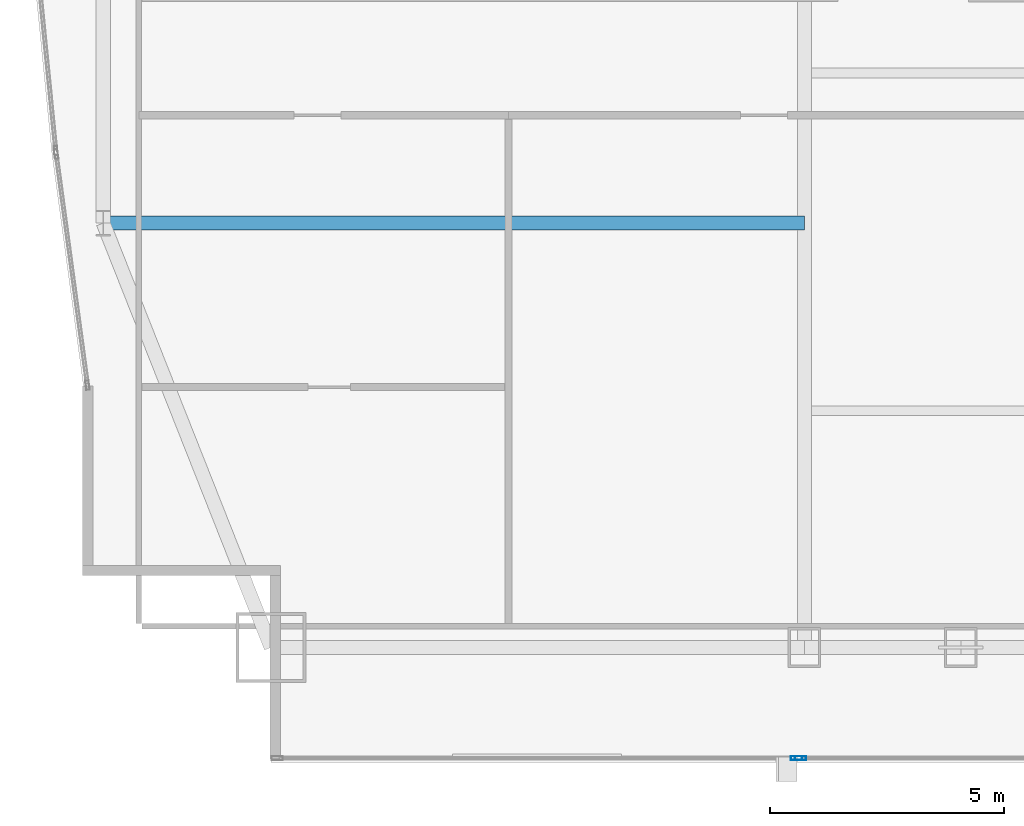
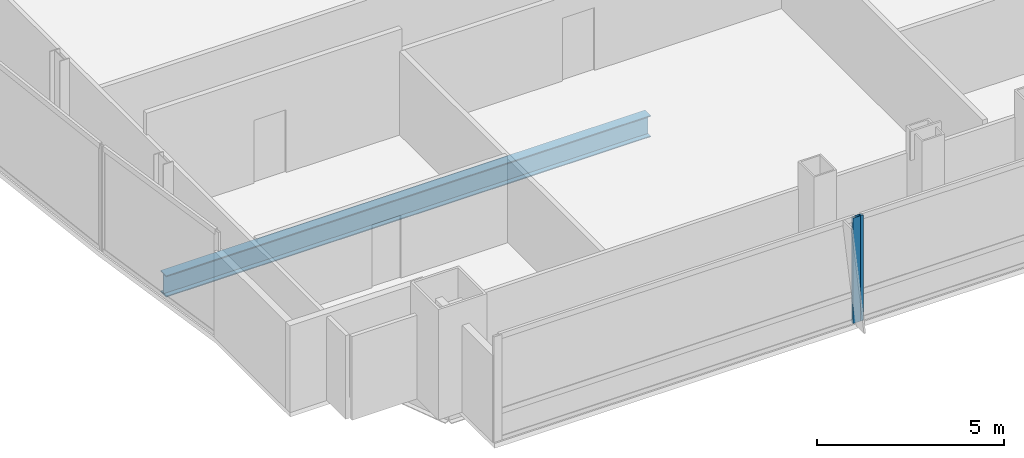
# One storey, part 7 of 32: 2 members, 1 beam, 2 elements without a shape of their own.
"""IFC4 building model written with IfcOpenShell, lengths in metres."""

from ifc_helpers import new_model, si_unit, direction, frame, origin, origin_2d, place, context, subcontext, project, spatial, hollow_rectangle, i_section, extrude, material, material_profile, profile_set, type_object, element, aggregate, save


model = new_model("IFC4")

# Units and contexts
model_context = context("Model", 3, precision=1e-05, world=origin(), true_north=direction((0.0, 1.0)))
body_context = subcontext(model_context, "Body", "Model", "MODEL_VIEW")
ifc_project = project(units=[si_unit("LENGTHUNIT", "METRE"), si_unit("AREAUNIT", "SQUARE_METRE"), si_unit("VOLUMEUNIT", "CUBIC_METRE"), si_unit("PLANEANGLEUNIT", "RADIAN"), si_unit("MASSUNIT", "GRAM", prefix="KILO")], contexts=[model_context])

# Site, building, storey
site_placement = place(None, origin())
site = spatial("IfcSite", under=ifc_project, at=site_placement, CompositionType="ELEMENT")
building_placement = place(site_placement, origin())
building = spatial("IfcBuilding", under=site, at=building_placement, Name="Khoronbel Lancet Exchange", CompositionType="ELEMENT")
storey_placement = place(building_placement, frame((0.0, 0.0, 125.39990234375)))
storey = spatial("IfcBuildingStorey", under=building, at=storey_placement, Name="L30", CompositionType="ELEMENT", Elevation=125.39990234375)

# Beam
ifc_material_1 = material(Name="Steel S355", Category="steel")
ifc_material_profile_1 = material_profile(ifc_material_1, i_section(OverallWidth=0.300048828125, OverallDepth=0.699951171875, WebThickness=0.01708984375, FlangeThickness=0.031982421875, at=origin_2d()), Name="HEB 700")
ifc_profile_set_1 = profile_set([ifc_material_profile_1], Name="Steel S355")
beam_type = type_object("IfcBeamType", Name="BM-BG3", PredefinedType="BEAM", material=ifc_profile_set_1)
beam_placement = place(storey_placement, frame((3.27001953125, 19.199951171875, -0.510009765625), z_axis=(1.0, 0.0, 0.0), x_axis=(0.0, 1.0, 0.0)))
element("IfcBeam", 1, at=beam_placement, inside=storey, type_object=beam_type, Name="Level L30 west lens tie girder LG1W", PredefinedType="BEAM", context=body_context, shape_type="SweptSolid", body=[
    extrude(i_section(OverallWidth=0.300048828125, OverallDepth=0.699951171875, WebThickness=0.01708984375, FlangeThickness=0.031982421875, at=origin_2d()), origin(), (0.0, 0.0, 1.0), 14.955078125),
])

# Curtain wall, member
ifc_material_2 = material(Name="Low-E Solar Control Insulating Glass", Category="glass")
curtain_wall_type = type_object("IfcCurtainWallType", Name="CW-2", PredefinedType="NOTDEFINED", material=ifc_material_2)
curtain_wall_1_placement = place(storey_placement, origin())
curtain_wall_1 = element("IfcCurtainWall", 2, at=curtain_wall_1_placement, inside=storey, type_object=curtain_wall_type, Name="Unitised curtain wall CW-L30-SWV", PredefinedType="NOTDEFINED")
ifc_material_3 = material(Name="Bronze-Anodised Aluminium 6063-T6", Category="aluminium")
ifc_material_profile_2 = material_profile(ifc_material_3, hollow_rectangle(XDim=0.0849609375, YDim=0.239990234375, WallThickness=0.006103515625, at=origin_2d()), Name="ALU MULLION 85x240")
ifc_profile_set_2 = profile_set([ifc_material_profile_2], Name="Bronze-Anodised Aluminium 6063-T6")
member_type = type_object("IfcMemberType", Name="MEM-CWM1", PredefinedType="MULLION", material=ifc_profile_set_2)
member_1_placement = place(storey_placement, frame((18.0576171875, 7.7900390625, 0.0), z_axis=(0.0, 0.0, 1.0), x_axis=(0.0, 1.0, 0.0)))
member_1 = element("IfcMember", 3, at=member_1_placement, type_object=member_type, Name="CW2 mullion 2", PredefinedType="MULLION", context=body_context, shape_type="SweptSolid", body=[
    extrude(hollow_rectangle(XDim=0.0849609375, YDim=0.239990234375, WallThickness=0.006103515625, at=origin_2d()), origin(), (0.0, 0.0, 1.0), 3.440185546875),
])
aggregate(curtain_wall_1, [member_1])

curtain_wall_2_placement = place(storey_placement, origin())
curtain_wall_2 = element("IfcCurtainWall", 4, at=curtain_wall_2_placement, inside=storey, type_object=curtain_wall_type, Name="Unitised curtain wall CW-L30-SWB", PredefinedType="NOTDEFINED")
member_2_placement = place(storey_placement, frame((18.142578125, 7.7900390625, 0.0), z_axis=(0.0, 0.0, 1.0), x_axis=(0.0, 1.0, 0.0)))
member_2 = element("IfcMember", 5, at=member_2_placement, type_object=member_type, Name="CW2 mullion 1", PredefinedType="MULLION", context=body_context, shape_type="SweptSolid", body=[
    extrude(hollow_rectangle(XDim=0.0849609375, YDim=0.239990234375, WallThickness=0.006103515625, at=origin_2d()), origin(), (0.0, 0.0, 1.0), 3.440185546875),
])
aggregate(curtain_wall_2, [member_2])

save(model, "model.ifc")
